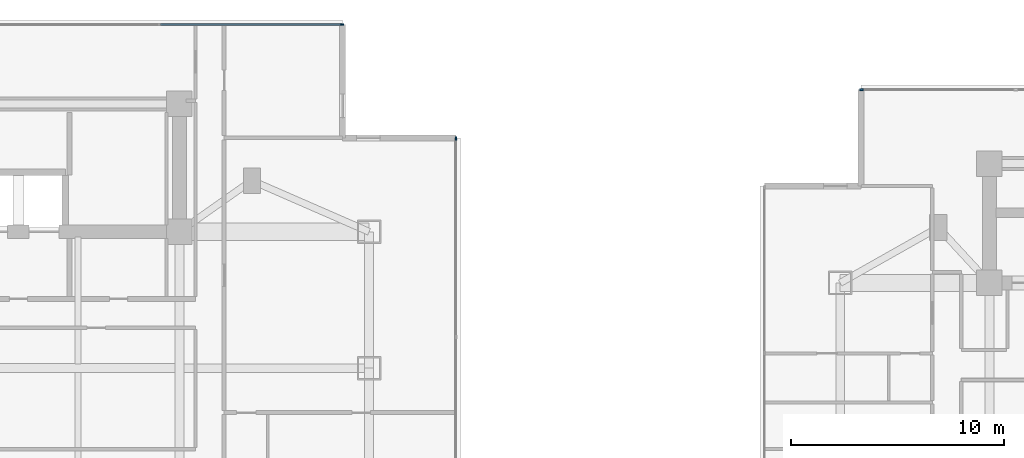
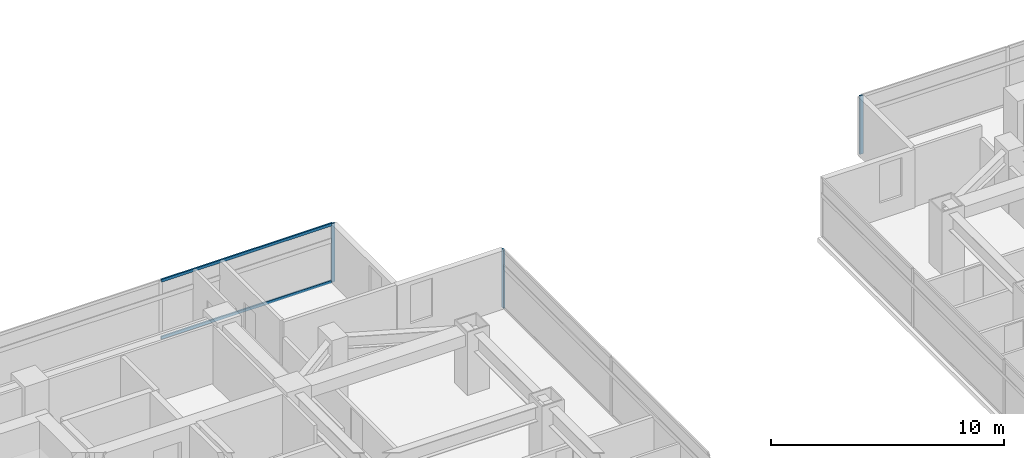
# One storey, part 8 of 26: 5 members, 3 elements without a shape of their own.
"""IFC4 building model written with IfcOpenShell, lengths in metres."""

import ifcopenshell
import ifcopenshell.guid

model = None  # the IFC model being written
_history = None  # IfcOwnerHistory: only IFC2X3 demands one
_inside = {}  # id of a spatial element -> (the spatial element, [elements in it])
_under = {}  # id of a project, library or spatial element -> (it, [spatial elements below it])
_declared = {}  # id of a project -> (the project, [libraries it declares])
_typed = {}  # id of a type object -> (the type object, [elements of that type])
_made_of = {}  # id of a material, layer set ... -> (it, [elements and type objects made of it])


def new_model(schema):
    """Start an empty IFC model of exactly this schema.

    Asked for "IFC4X3", IfcOpenShell would pick the latest addendum, in which some entities
    have other attributes; the version numbers below select the first issue.
    IFC2X3 requires an IfcOwnerHistory on every rooted entity: one is made here for all.
    """
    global model, _history
    if schema == "IFC4X3":
        model = ifcopenshell.file(schema_version=(4, 3, 0, 0))
    else:
        model = ifcopenshell.file(schema=schema)
    _inside.clear()
    _under.clear()
    _declared.clear()
    _typed.clear()
    _made_of.clear()
    _history = None
    if model.schema == "IFC2X3":
        org = make("IfcOrganization", Name="unknown")
        user = make(
            "IfcPersonAndOrganization",
            ThePerson=make("IfcPerson", FamilyName="unknown"),
            TheOrganization=org,
        )
        app = make(
            "IfcApplication",
            ApplicationDeveloper=org,
            Version="unknown",
            ApplicationFullName="unknown",
            ApplicationIdentifier="unknown",
        )
        _history = make(
            "IfcOwnerHistory",
            OwningUser=user,
            OwningApplication=app,
            ChangeAction="ADDED",
            CreationDate=0,
        )
    return model


def make(cls, **values):
    """One entity of the class cls with the attributes given. An attribute that is None is left unset."""
    return model.create_entity(
        cls, **{name: value for name, value in values.items() if value is not None}
    )


def rooted(cls, **values):
    """An entity with a GlobalId (a new one), such as an element, a storey or a relation."""
    return make(cls, GlobalId=ifcopenshell.guid.new(), OwnerHistory=_history, **values)


def si_unit(unit_type, name, prefix=None):
    """IfcSIUnit, for example si_unit("LENGTHUNIT", "METRE", prefix="MILLI")."""
    return make("IfcSIUnit", UnitType=unit_type, Prefix=prefix, Name=name)


def assignment(units):
    """IfcUnitAssignment: the units of a project."""
    return None if units is None else make("IfcUnitAssignment", Units=units)


def point(xyz):
    """IfcCartesianPoint."""
    return None if xyz is None else make("IfcCartesianPoint", Coordinates=xyz)


def direction(xyz):
    """IfcDirection."""
    return None if xyz is None else make("IfcDirection", DirectionRatios=xyz)


def frame(location, z_axis=None, x_axis=None):
    """IfcAxis2Placement3D, a coordinate frame: its origin and axes. An axis left out is left unset."""
    return make(
        "IfcAxis2Placement3D",
        Location=point(location),
        Axis=direction(z_axis),
        RefDirection=direction(x_axis),
    )


def frame_2d(location, x_axis=None):
    """IfcAxis2Placement2D, a coordinate frame in the plane: its origin and x axis."""
    return make(
        "IfcAxis2Placement2D", Location=point(location), RefDirection=direction(x_axis)
    )


def origin():
    """The frame at (0, 0, 0) with its axes left unset."""
    return frame((0.0, 0.0, 0.0))


def origin_2d():
    """The frame at (0, 0) in the plane with its x axis left unset."""
    return frame_2d((0.0, 0.0))


def place(relative_to, where):
    """IfcLocalPlacement: puts the frame where relative to a parent placement (None: the world)."""
    return make(
        "IfcLocalPlacement", PlacementRelTo=relative_to, RelativePlacement=where
    )


def context(
    kind, dimensions, precision=None, world=None, true_north=None, identifier=None
):
    """IfcGeometricRepresentationContext, for example the 3D "Model" context."""
    return make(
        "IfcGeometricRepresentationContext",
        ContextIdentifier=identifier,
        ContextType=kind,
        CoordinateSpaceDimension=dimensions,
        Precision=precision,
        WorldCoordinateSystem=world,
        TrueNorth=true_north,
    )


def subcontext(parent, identifier, kind, view, scale=None):
    """IfcGeometricRepresentationSubContext, for example "Body" below "Model"."""
    return make(
        "IfcGeometricRepresentationSubContext",
        ContextIdentifier=identifier,
        ContextType=kind,
        ParentContext=parent,
        TargetScale=scale,
        TargetView=view,
    )


def project(units=None, contexts=None):
    """IfcProject with its units and contexts."""
    return rooted(
        "IfcProject",
        Name="project",
        RepresentationContexts=contexts,
        UnitsInContext=assignment(units),
    )


def spatial(cls, under=None, at=None, **own):
    """A site, building, storey or space (cls), placed at a placement, below another one or the project."""
    s = rooted(cls, ObjectPlacement=at, **own)
    if under is not None:
        _under.setdefault(under.id(), (under, []))[1].append(s)
    return s


def profile(cls, at=None, kind="AREA", **sizes):
    """A parametric profile (cls). Its sizes go by their IFC names, for example OverallWidth=200.0."""
    return make(cls, ProfileType=kind, Position=at, **sizes)


def rectangle(**sizes):
    """IfcRectangleProfileDef."""
    return profile("IfcRectangleProfileDef", **sizes)


def extrude(swept, where, along, depth):
    """IfcExtrudedAreaSolid: the profile swept, set in the frame where, extruded along a direction by depth."""
    return make(
        "IfcExtrudedAreaSolid",
        SweptArea=swept,
        Position=where,
        ExtrudedDirection=direction(along),
        Depth=depth,
    )


def shape(context_of_items, identifier, shape_type, items):
    """IfcShapeRepresentation: the items that make up one representation, for example the "Body"."""
    return make(
        "IfcShapeRepresentation",
        ContextOfItems=context_of_items,
        RepresentationIdentifier=identifier,
        RepresentationType=shape_type,
        Items=items,
    )


def material(Name=None, Category=None):
    """IfcMaterial."""
    return make("IfcMaterial", Name=Name, Category=Category)


def material_profile(
    of_material, cross_section, Name=None, Category=None, Priority=None
):
    """IfcMaterialProfile: a cross section and its material."""
    return make(
        "IfcMaterialProfile",
        Name=Name,
        Material=of_material,
        Profile=cross_section,
        Priority=Priority,
        Category=Category,
    )


def profile_set(profiles, Name=None, composite=None):
    """IfcMaterialProfileSet."""
    return make(
        "IfcMaterialProfileSet",
        Name=Name,
        MaterialProfiles=profiles,
        CompositeProfile=composite,
    )


def made_of(thing, what):
    """Note that an element or type object is made of a material, layer set ...; save() writes the relation."""
    if what is not None:
        _made_of.setdefault(what.id(), (what, []))[1].append(thing)
    return thing


def type_object(cls, material=None, **own):
    """A type object (cls), such as IfcWallType, which elements share."""
    return made_of(rooted(cls, **own), material)


def element(
    cls,
    number,
    at=None,
    inside=None,
    cuts=None,
    type_object=None,
    material=None,
    context=None,
    identifier="Body",
    shape_type=None,
    held_by="IfcProductDefinitionShape",
    body=None,
    shapes=None,
    **own,
):
    """One element of the class cls, such as IfcWall. Its Tag is "e" and its number.

    at: its placement. inside: the storey or other place that contains it. cuts: it is an
    opening in that element (IfcRelVoidsElement). A single representation is given by context,
    identifier, shape_type and body (its items); several are given by shapes. held_by: the class
    of the entity that holds the representations. save() writes the other relations.
    """
    e = rooted(cls, Tag="e%d" % number, ObjectPlacement=at, **own)
    if body is not None:
        shapes = [shape(context, identifier, shape_type, body)]
    if shapes is not None:
        e.Representation = make(held_by, Representations=shapes)
    if inside is not None:
        _inside.setdefault(inside.id(), (inside, []))[1].append(e)
    if cuts is not None:
        rooted(
            "IfcRelVoidsElement", RelatingBuildingElement=cuts, RelatedOpeningElement=e
        )
    if type_object is not None:
        _typed.setdefault(type_object.id(), (type_object, []))[1].append(e)
    return made_of(e, material)


def aggregate(whole, parts):
    """IfcRelAggregates: a whole, such as a stair, and the parts it consists of."""
    return rooted("IfcRelAggregates", RelatingObject=whole, RelatedObjects=parts)


def save(model, path):
    """Write the relations noted so far, then the file.

    IfcRelAggregates (storeys below a building ...), IfcRelContainedInSpatialStructure (elements
    in a storey), IfcRelDefinesByType, IfcRelAssociatesMaterial and IfcRelDeclares: one each for
    every whole, place, type object, material and project.
    """
    for whole, parts in _under.values():
        aggregate(whole, parts)
    for where, things in _inside.values():
        rooted(
            "IfcRelContainedInSpatialStructure",
            RelatedElements=things,
            RelatingStructure=where,
        )
    for kind, things in _typed.values():
        rooted("IfcRelDefinesByType", RelatedObjects=things, RelatingType=kind)
    for what, things in _made_of.values():
        rooted("IfcRelAssociatesMaterial", RelatedObjects=things, RelatingMaterial=what)
    for by, libraries in _declared.values():
        rooted("IfcRelDeclares", RelatingContext=by, RelatedDefinitions=libraries)
    model.write(path)


model = new_model("IFC4")

# Units and contexts
model_context = context("Model", 3, precision=1e-05, world=origin(), true_north=direction((0.0, 1.0)))
body_context = subcontext(model_context, "Body", "Model", "MODEL_VIEW")
ifc_project = project(units=[si_unit("LENGTHUNIT", "METRE"), si_unit("AREAUNIT", "SQUARE_METRE"), si_unit("VOLUMEUNIT", "CUBIC_METRE"), si_unit("PLANEANGLEUNIT", "RADIAN"), si_unit("MASSUNIT", "GRAM", prefix="KILO")], contexts=[model_context])

# Site, building, storey
site_placement = place(None, origin())
site = spatial("IfcSite", under=ifc_project, at=site_placement, CompositionType="ELEMENT")
building_placement = place(site_placement, origin())
building = spatial("IfcBuilding", under=site, at=building_placement, Name="Mirazonda Arch Towers", CompositionType="ELEMENT")
storey_placement = place(building_placement, frame((0.0, 0.0, 114.800048828125)))
storey = spatial("IfcBuildingStorey", under=building, at=storey_placement, Name="L32", CompositionType="ELEMENT", Elevation=114.800048828125)

# Curtain wall, member
ifc_material_1 = material(Name="Anodised Aluminium and Low-E Glass", Category="aluminium")
curtain_wall_type = type_object("IfcCurtainWallType", Name="CW-HTL-UNIT", PredefinedType="NOTDEFINED", material=ifc_material_1)
curtain_wall_1_placement = place(storey_placement, origin())
curtain_wall_1 = element("IfcCurtainWall", 1, at=curtain_wall_1_placement, inside=storey, type_object=curtain_wall_type, Name="L32 T1 E Facade CW-L32-T1-E", PredefinedType="NOTDEFINED")
ifc_material_2 = material(Name="Anodised Aluminium Alloy", Category="aluminium")
ifc_material_profile_1 = material_profile(ifc_material_2, rectangle(XDim=0.074951171875, YDim=0.1650390625, at=origin_2d()), Name="ALU-MULL-75x165")
ifc_profile_set_1 = profile_set([ifc_material_profile_1], Name="Anodised Aluminium Alloy")
member_type_1 = type_object("IfcMemberType", Name="MULL-CW-HTL-UNIT", PredefinedType="MULLION", material=ifc_profile_set_1)
member_1_placement = place(storey_placement, frame((42.969970703125, 41.971435546875, 0.0), z_axis=(0.0, 0.0, 1.0), x_axis=(-1.0, 0.0, 0.0)))
member_1 = element("IfcMember", 2, at=member_1_placement, type_object=member_type_1, Name="CW-112 mullion 4", PredefinedType="MULLION", context=body_context, shape_type="SweptSolid", body=[
    extrude(rectangle(XDim=0.074951171875, YDim=0.1650390625, at=origin_2d()), origin(), (0.0, 0.0, 1.0), 3.06005859375),
])
aggregate(curtain_wall_1, [member_1])

curtain_wall_2_placement = place(storey_placement, origin())
curtain_wall_2 = element("IfcCurtainWall", 3, at=curtain_wall_2_placement, inside=storey, type_object=curtain_wall_type, Name="L32 T1 N Facade CW-L32-T1-N", PredefinedType="NOTDEFINED")
member_2_placement = place(storey_placement, frame((37.62744140625, 47.31396484375, 0.0), z_axis=(0.0, 0.0, 1.0), x_axis=(0.0, 1.0, 0.0)))
member_2 = element("IfcMember", 4, at=member_2_placement, type_object=member_type_1, Name="CW-112 mullion 5", PredefinedType="MULLION", context=body_context, shape_type="SweptSolid", body=[
    extrude(rectangle(XDim=0.074951171875, YDim=0.1650390625, at=origin_2d()), origin(), (0.0, 0.0, 1.0), 3.06005859375),
])

curtain_wall_3_placement = place(storey_placement, origin())
curtain_wall_3 = element("IfcCurtainWall", 5, at=curtain_wall_3_placement, inside=storey, type_object=curtain_wall_type, Name="L32 T2 N Facade CW-L32-T2-N", PredefinedType="NOTDEFINED")
member_3_placement = place(storey_placement, frame((62.00732421875, 44.263916015625, 0.0), z_axis=(0.0, 0.0, 1.0), x_axis=(0.0, 1.0, 0.0)))
member_3 = element("IfcMember", 6, at=member_3_placement, type_object=member_type_1, Name="CW-112 mullion 1", PredefinedType="MULLION", context=body_context, shape_type="SweptSolid", body=[
    extrude(rectangle(XDim=0.074951171875, YDim=0.1650390625, at=origin_2d()), origin(), (0.0, 0.0, 1.0), 3.06005859375),
])
aggregate(curtain_wall_3, [member_3])

# Member
ifc_material_profile_2 = material_profile(ifc_material_2, rectangle(XDim=0.074951171875, YDim=0.14501953125, at=origin_2d()), Name="ALU-TRAN-75x145")
ifc_profile_set_2 = profile_set([ifc_material_profile_2], Name="Anodised Aluminium Alloy")
member_type_2 = type_object("IfcMemberType", Name="TRAN-CW-HTL-UNIT", PredefinedType="USERDEFINED", material=ifc_profile_set_2)
member_4_placement = place(storey_placement, frame((29.1201171875, 47.31396484375, 0.037353515625), z_axis=(1.0, 0.0, 0.0), x_axis=(0.0, 1.0, 0.0)))
member_4 = element("IfcMember", 7, at=member_4_placement, type_object=member_type_2, Name="CW-112 transom 4.1", ObjectType="TRANSOM", PredefinedType="USERDEFINED", context=body_context, shape_type="SweptSolid", body=[
    extrude(rectangle(XDim=0.074951171875, YDim=0.14501953125, at=origin_2d()), origin(), (0.0, 0.0, 1.0), 8.469970703125),
])

member_5_placement = place(storey_placement, frame((29.1201171875, 47.31396484375, 3.0224609375), z_axis=(1.0, 0.0, 0.0), x_axis=(0.0, 1.0, 0.0)))
member_5 = element("IfcMember", 8, at=member_5_placement, type_object=member_type_2, Name="CW-112 transom 4.2", ObjectType="TRANSOM", PredefinedType="USERDEFINED", context=body_context, shape_type="SweptSolid", body=[
    extrude(rectangle(XDim=0.074951171875, YDim=0.14501953125, at=origin_2d()), origin(), (0.0, 0.0, 1.0), 8.469970703125),
])

aggregate(curtain_wall_2, [member_2, member_4, member_5])

save(model, "model.ifc")
